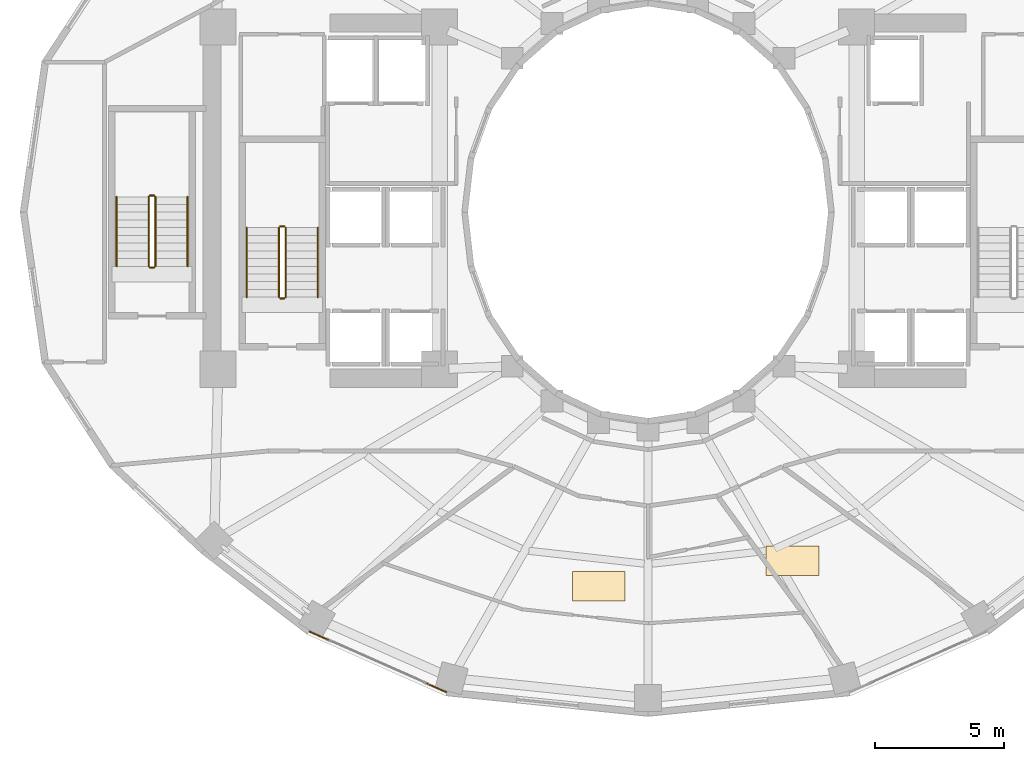
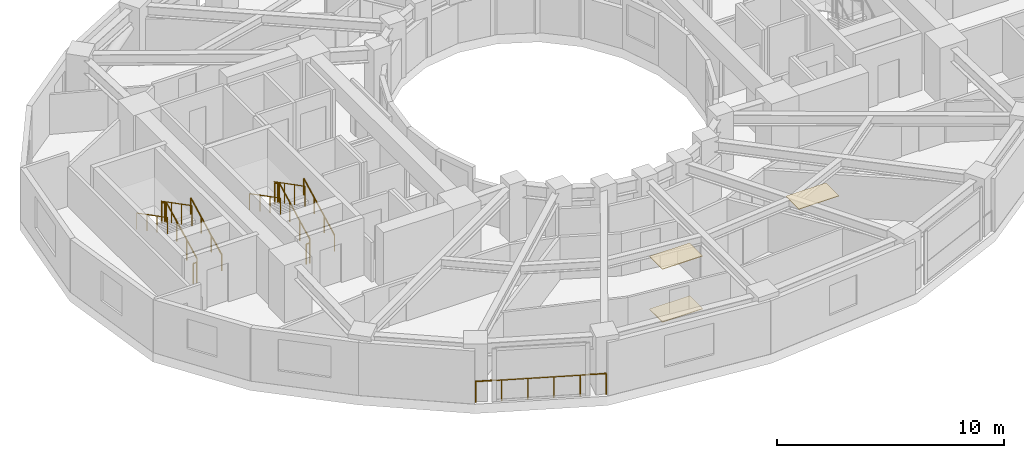
# One storey, part 16 of 18: 13 railings, 3 coverings.
"""IFC4 building model written with IfcOpenShell, lengths in metres."""

from ifc_helpers import new_model, si_unit, direction, frame, origin, origin_2d, place, context, subcontext, project, spatial, polyline, circle, outline, extrude, material, layer, layer_set, type_object, element, save


model = new_model("IFC4")

# Units and contexts
model_context = context("Model", 3, precision=1e-05, world=origin(), true_north=direction((0.0, 1.0)))
body_context = subcontext(model_context, "Body", "Model", "MODEL_VIEW")
ifc_project = project(units=[si_unit("LENGTHUNIT", "METRE"), si_unit("AREAUNIT", "SQUARE_METRE"), si_unit("VOLUMEUNIT", "CUBIC_METRE"), si_unit("PLANEANGLEUNIT", "RADIAN"), si_unit("MASSUNIT", "GRAM", prefix="KILO")], contexts=[model_context])

# Site, building, storey
site_placement = place(None, origin())
site = spatial("IfcSite", under=ifc_project, at=site_placement, CompositionType="ELEMENT")
building_placement = place(site_placement, origin())
building = spatial("IfcBuilding", under=site, at=building_placement, Name="Solvane Sanctuary Tower", CompositionType="ELEMENT")
storey_placement = place(building_placement, frame((0.0, 0.0, 94.89990234375)))
storey = spatial("IfcBuildingStorey", under=building, at=storey_placement, Name="L28", CompositionType="ELEMENT", Elevation=94.89990234375)

# Coverings
ifc_material_1 = material(Name="Acoustic Gypsum Partition Board")
ifc_layer_1 = layer(ifc_material_1, 0.02490234375, Name="Acoustic Gypsum Partition Board")
ifc_layer_set_1 = layer_set([ifc_layer_1], Name="Acoustic Gypsum Partition Board")
covering_type_1 = type_object("IfcCoveringType", Name="Covering CLG-ACOUST", PredefinedType="CEILING", material=ifc_layer_set_1)
covering_1_placement = place(storey_placement, frame((0.0, 0.0, 2.85009765625)))
element("IfcCovering", 1, at=covering_1_placement, inside=storey, type_object=covering_type_1, Name="L28 Unit Acoustic Ceiling Panel 3", PredefinedType="CEILING", context=body_context, shape_type="SweptSolid", body=[
    extrude(outline(polyline([(29.06298828125, 7.89990234375), (31.113037109375, 7.89990234375), (31.113037109375, 9.050048828125), (29.06298828125, 9.050048828125), (29.06298828125, 7.89990234375)])), origin(), (0.0, 0.0, 1.0), 0.030029296875),
])
covering_2_placement = place(storey_placement, frame((0.0, 0.0, 2.85009765625)))
element("IfcCovering", 2, at=covering_2_placement, inside=storey, type_object=covering_type_1, Name="L28 Unit Acoustic Ceiling Panel 4", PredefinedType="CEILING", context=body_context, shape_type="SweptSolid", body=[
    extrude(outline(polyline([(36.5810546875, 8.889892578125), (38.631103515625, 8.889892578125), (38.631103515625, 10.0400390625), (36.5810546875, 10.0400390625), (36.5810546875, 8.889892578125)])), origin(), (0.0, 0.0, 1.0), 0.030029296875),
])
ifc_material_2 = material(Name="Ceramic Tile Finish")
ifc_layer_2 = layer(ifc_material_2, 0.030029296875, Name="Ceramic Tile Finish")
ifc_layer_set_2 = layer_set([ifc_layer_2], Name="Ceramic Tile Finish")
covering_type_2 = type_object("IfcCoveringType", Name="Covering FLR-TERRAZZO", PredefinedType="FLOORING", material=ifc_layer_set_2)
covering_3_placement = place(storey_placement, origin())
element("IfcCovering", 3, at=covering_3_placement, inside=storey, type_object=covering_type_2, Name="L28 Unit Terrazzo Inlay 3", PredefinedType="FLOORING", context=body_context, shape_type="SweptSolid", body=[
    extrude(outline(polyline([(29.06298828125, 7.89990234375), (31.113037109375, 7.89990234375), (31.113037109375, 9.050048828125), (29.06298828125, 9.050048828125), (29.06298828125, 7.89990234375)])), origin(), (0.0, 0.0, 1.0), 0.03515625),
])

# Railings
ifc_material_3 = material(Name="Architectural Stainless Steel 316", Category="steel")
railing_type_1 = type_object("IfcRailingType", Name="Railing GR-BALC-1150", PredefinedType="BALUSTRADE", material=ifc_material_3)
railing_1_placement = place(storey_placement, frame((18.85400390625, 6.7099609375, 0.0)))
element("IfcRailing", 4, at=railing_1_placement, inside=storey, type_object=railing_type_1, Name="L28 Curtain-Wall Perimeter Sill Guard 16", PredefinedType="BALUSTRADE", context=body_context, shape_type="SweptSolid", body=[
    extrude(circle(Radius=0.02392578125, at=origin_2d()), frame((0.0, 0.0, 1.1259765625), z_axis=(0.91433335621, -0.40496236087, 0.0), x_axis=(0.40496236087, 0.91433335621, 0.0)), (0.0, 0.0, 1.0), 5.799072265625),
    extrude(circle(Radius=0.02099609375, at=origin_2d()), origin(), (0.0, 0.0, 1.0), 1.101806640625),
    extrude(circle(Radius=0.02099609375, at=origin_2d()), frame((1.060546875, -0.4697265625, 0.0)), (0.0, 0.0, 1.0), 1.101806640625),
    extrude(circle(Radius=0.02099609375, at=origin_2d()), frame((2.120849609375, -0.939453125, 0.0)), (0.0, 0.0, 1.0), 1.101806640625),
    extrude(circle(Radius=0.02099609375, at=origin_2d()), frame((3.181396484375, -1.408935546875, 0.0)), (0.0, 0.0, 1.0), 1.101806640625),
    extrude(circle(Radius=0.02099609375, at=origin_2d()), frame((4.24169921875, -1.878662109375, 0.0)), (0.0, 0.0, 1.0), 1.101806640625),
    extrude(circle(Radius=0.02099609375, at=origin_2d()), frame((5.30224609375, -2.348388671875, 0.0)), (0.0, 0.0, 1.0), 1.101806640625),
])
railing_2_placement = place(storey_placement, frame((17.919921875, 19.699951171875, 0.155029296875)))
element("IfcRailing", 5, at=railing_2_placement, inside=storey, type_object=railing_type_1, Name="L28 ST-1 stair guard 1", PredefinedType="BALUSTRADE", context=body_context, shape_type="SweptSolid", body=[
    extrude(circle(Radius=0.02392578125, at=origin_2d()), frame((0.0, 0.0, 1.076171875), z_axis=(0.0, 0.888419900624, 0.459031676658), x_axis=(-1.0, 0.0, 0.0)), (0.0, 0.0, 1.0), 3.0390625),
    extrude(circle(Radius=0.02099609375, at=origin_2d()), origin(), (0.0, 0.0, 1.0), 1.052001953125),
    extrude(circle(Radius=0.02099609375, at=origin_2d()), frame((0.0, 0.89990234375, 0.465087890625)), (0.0, 0.0, 1.0), 1.052001953125),
    extrude(circle(Radius=0.02099609375, at=origin_2d()), frame((0.0, 1.800048828125, 0.929931640625)), (0.0, 0.0, 1.0), 1.052001953125),
    extrude(circle(Radius=0.02099609375, at=origin_2d()), frame((0.0, 2.699951171875, 1.39501953125)), (0.0, 0.0, 1.0), 1.052001953125),
])
railing_3_placement = place(storey_placement, frame((17.8701171875, 22.449951171875, 1.550048828125)))
element("IfcRailing", 6, at=railing_3_placement, inside=storey, type_object=railing_type_1, Name="L28 ST-1 stair guard 2", PredefinedType="BALUSTRADE", context=body_context, shape_type="SweptSolid", body=[
    extrude(circle(Radius=0.02392578125, at=origin_2d()), frame((0.0, 0.0, 1.076171875), z_axis=(-1.0, 0.0, 0.0), x_axis=(0.0, -1.0, 0.0)), (0.0, 0.0, 1.0), 0.16015625),
    extrude(circle(Radius=0.02099609375, at=origin_2d()), origin(), (0.0, 0.0, 1.0), 1.052001953125),
    extrude(circle(Radius=0.02099609375, at=origin_2d()), frame((-0.16015625, 0.0, 0.0)), (0.0, 0.0, 1.0), 1.052001953125),
])
railing_4_placement = place(storey_placement, frame((17.659912109375, 22.39990234375, 1.705078125)))
element("IfcRailing", 7, at=railing_4_placement, inside=storey, type_object=railing_type_1, Name="L28 ST-1 stair guard 3", PredefinedType="BALUSTRADE", context=body_context, shape_type="SweptSolid", body=[
    extrude(circle(Radius=0.02392578125, at=origin_2d()), frame((0.0, 0.0, 1.076171875), z_axis=(0.0, -0.888419900624, 0.459031676658), x_axis=(1.0, 0.0, 0.0)), (0.0, 0.0, 1.0), 3.0390625),
    extrude(circle(Radius=0.02099609375, at=origin_2d()), origin(), (0.0, 0.0, 1.0), 1.052001953125),
    extrude(circle(Radius=0.02099609375, at=origin_2d()), frame((0.0, -0.89990234375, 0.465087890625)), (0.0, 0.0, 1.0), 1.052001953125),
    extrude(circle(Radius=0.02099609375, at=origin_2d()), frame((0.0, -1.800048828125, 0.929931640625)), (0.0, 0.0, 1.0), 1.052001953125),
    extrude(circle(Radius=0.02099609375, at=origin_2d()), frame((0.0, -2.699951171875, 1.39501953125)), (0.0, 0.0, 1.0), 1.052001953125),
])
railing_5_placement = place(storey_placement, frame((17.8701171875, 19.64990234375, 0.0)))
element("IfcRailing", 8, at=railing_5_placement, inside=storey, type_object=railing_type_1, Name="L28 ST-1 stair guard 4", PredefinedType="BALUSTRADE", context=body_context, shape_type="SweptSolid", body=[
    extrude(circle(Radius=0.02392578125, at=origin_2d()), frame((0.0, 0.0, 1.076171875), z_axis=(-1.0, 0.0, 0.0), x_axis=(0.0, -1.0, 0.0)), (0.0, 0.0, 1.0), 0.16015625),
    extrude(circle(Radius=0.02099609375, at=origin_2d()), origin(), (0.0, 0.0, 1.0), 1.052001953125),
    extrude(circle(Radius=0.02099609375, at=origin_2d()), frame((-0.16015625, 0.0, 0.0)), (0.0, 0.0, 1.0), 1.052001953125),
])
railing_6_placement = place(storey_placement, frame((12.860107421875, 20.89990234375, 0.155029296875)))
element("IfcRailing", 9, at=railing_6_placement, inside=storey, type_object=railing_type_1, Name="L28 ST-3 stair guard 1", PredefinedType="BALUSTRADE", context=body_context, shape_type="SweptSolid", body=[
    extrude(circle(Radius=0.02392578125, at=origin_2d()), frame((0.0, 0.0, 1.076171875), z_axis=(0.0, 0.888436826113, 0.458998917216), x_axis=(-1.0, 0.0, 0.0)), (0.0, 0.0, 1.0), 3.039306640625),
    extrude(circle(Radius=0.02099609375, at=origin_2d()), origin(), (0.0, 0.0, 1.0), 1.052001953125),
    extrude(circle(Radius=0.02099609375, at=origin_2d()), frame((0.0, 0.900146484375, 0.465087890625)), (0.0, 0.0, 1.0), 1.052001953125),
    extrude(circle(Radius=0.02099609375, at=origin_2d()), frame((0.0, 1.800048828125, 0.929931640625)), (0.0, 0.0, 1.0), 1.052001953125),
    extrude(circle(Radius=0.02099609375, at=origin_2d()), frame((0.0, 2.7001953125, 1.39501953125)), (0.0, 0.0, 1.0), 1.052001953125),
])
railing_7_placement = place(storey_placement, frame((12.81005859375, 23.64990234375, 1.550048828125)))
element("IfcRailing", 10, at=railing_7_placement, inside=storey, type_object=railing_type_1, Name="L28 ST-3 stair guard 2", PredefinedType="BALUSTRADE", context=body_context, shape_type="SweptSolid", body=[
    extrude(circle(Radius=0.02392578125, at=origin_2d()), frame((0.0, 0.0, 1.076171875), z_axis=(-1.0, 0.0, 0.0), x_axis=(0.0, -1.0, 0.0)), (0.0, 0.0, 1.0), 0.16015625),
    extrude(circle(Radius=0.02099609375, at=origin_2d()), origin(), (0.0, 0.0, 1.0), 1.052001953125),
    extrude(circle(Radius=0.02099609375, at=origin_2d()), frame((-0.16015625, 0.0, 0.0)), (0.0, 0.0, 1.0), 1.052001953125),
])
railing_8_placement = place(storey_placement, frame((12.60009765625, 23.60009765625, 1.705078125)))
element("IfcRailing", 11, at=railing_8_placement, inside=storey, type_object=railing_type_1, Name="L28 ST-3 stair guard 3", PredefinedType="BALUSTRADE", context=body_context, shape_type="SweptSolid", body=[
    extrude(circle(Radius=0.02392578125, at=origin_2d()), frame((0.0, 0.0, 1.076171875), z_axis=(0.0, -0.888436826113, 0.458998917216), x_axis=(1.0, 0.0, 0.0)), (0.0, 0.0, 1.0), 3.039306640625),
    extrude(circle(Radius=0.02099609375, at=origin_2d()), origin(), (0.0, 0.0, 1.0), 1.052001953125),
    extrude(circle(Radius=0.02099609375, at=origin_2d()), frame((0.0, -0.900146484375, 0.465087890625)), (0.0, 0.0, 1.0), 1.052001953125),
    extrude(circle(Radius=0.02099609375, at=origin_2d()), frame((0.0, -1.800048828125, 0.929931640625)), (0.0, 0.0, 1.0), 1.052001953125),
    extrude(circle(Radius=0.02099609375, at=origin_2d()), frame((0.0, -2.7001953125, 1.39501953125)), (0.0, 0.0, 1.0), 1.052001953125),
])
railing_9_placement = place(storey_placement, frame((12.81005859375, 20.85009765625, 0.0)))
element("IfcRailing", 12, at=railing_9_placement, inside=storey, type_object=railing_type_1, Name="L28 ST-3 stair guard 4", PredefinedType="BALUSTRADE", context=body_context, shape_type="SweptSolid", body=[
    extrude(circle(Radius=0.02392578125, at=origin_2d()), frame((0.0, 0.0, 1.076171875), z_axis=(-1.0, 0.0, 0.0), x_axis=(0.0, -1.0, 0.0)), (0.0, 0.0, 1.0), 0.16015625),
    extrude(circle(Radius=0.02099609375, at=origin_2d()), origin(), (0.0, 0.0, 1.0), 1.052001953125),
    extrude(circle(Radius=0.02099609375, at=origin_2d()), frame((-0.16015625, 0.0, 0.0)), (0.0, 0.0, 1.0), 1.052001953125),
])
railing_type_2 = type_object("IfcRailingType", Name="Railing HR-STAIR-920", PredefinedType="HANDRAIL", material=ifc_material_3)
railing_10_placement = place(storey_placement, frame((19.169921875, 19.699951171875, 0.155029296875)))
element("IfcRailing", 13, at=railing_10_placement, inside=storey, type_object=railing_type_2, Name="L28 ST-1 stair handrail 1", PredefinedType="HANDRAIL", context=body_context, shape_type="SweptSolid", body=[
    extrude(circle(Radius=0.02392578125, at=origin_2d()), frame((0.0, 0.0, 0.8759765625), z_axis=(0.0, 0.888419900624, 0.459031676658), x_axis=(-1.0, 0.0, 0.0)), (0.0, 0.0, 1.0), 3.0390625),
    extrude(circle(Radius=0.02099609375, at=origin_2d()), origin(), (0.0, 0.0, 1.0), 0.851806640625),
    extrude(circle(Radius=0.02099609375, at=origin_2d()), frame((0.0, 0.89990234375, 0.465087890625)), (0.0, 0.0, 1.0), 0.851806640625),
    extrude(circle(Radius=0.02099609375, at=origin_2d()), frame((0.0, 1.800048828125, 0.929931640625)), (0.0, 0.0, 1.0), 0.851806640625),
    extrude(circle(Radius=0.02099609375, at=origin_2d()), frame((0.0, 2.699951171875, 1.39501953125)), (0.0, 0.0, 1.0), 0.851806640625),
])
railing_11_placement = place(storey_placement, frame((16.409912109375, 22.39990234375, 1.705078125)))
element("IfcRailing", 14, at=railing_11_placement, inside=storey, type_object=railing_type_2, Name="L28 ST-1 stair handrail 2", PredefinedType="HANDRAIL", context=body_context, shape_type="SweptSolid", body=[
    extrude(circle(Radius=0.02392578125, at=origin_2d()), frame((0.0, 0.0, 0.8759765625), z_axis=(0.0, -0.888419900624, 0.459031676658), x_axis=(1.0, 0.0, 0.0)), (0.0, 0.0, 1.0), 3.0390625),
    extrude(circle(Radius=0.02099609375, at=origin_2d()), origin(), (0.0, 0.0, 1.0), 0.851806640625),
    extrude(circle(Radius=0.02099609375, at=origin_2d()), frame((0.0, -0.89990234375, 0.465087890625)), (0.0, 0.0, 1.0), 0.851806640625),
    extrude(circle(Radius=0.02099609375, at=origin_2d()), frame((0.0, -1.800048828125, 0.929931640625)), (0.0, 0.0, 1.0), 0.851806640625),
    extrude(circle(Radius=0.02099609375, at=origin_2d()), frame((0.0, -2.699951171875, 1.39501953125)), (0.0, 0.0, 1.0), 0.851806640625),
])
railing_12_placement = place(storey_placement, frame((14.110107421875, 20.89990234375, 0.155029296875)))
element("IfcRailing", 15, at=railing_12_placement, inside=storey, type_object=railing_type_2, Name="L28 ST-3 stair handrail 1", PredefinedType="HANDRAIL", context=body_context, shape_type="SweptSolid", body=[
    extrude(circle(Radius=0.02392578125, at=origin_2d()), frame((0.0, 0.0, 0.8759765625), z_axis=(0.0, 0.888436826113, 0.458998917216), x_axis=(-1.0, 0.0, 0.0)), (0.0, 0.0, 1.0), 3.039306640625),
    extrude(circle(Radius=0.02099609375, at=origin_2d()), origin(), (0.0, 0.0, 1.0), 0.851806640625),
    extrude(circle(Radius=0.02099609375, at=origin_2d()), frame((0.0, 0.900146484375, 0.465087890625)), (0.0, 0.0, 1.0), 0.851806640625),
    extrude(circle(Radius=0.02099609375, at=origin_2d()), frame((0.0, 1.800048828125, 0.929931640625)), (0.0, 0.0, 1.0), 0.851806640625),
    extrude(circle(Radius=0.02099609375, at=origin_2d()), frame((0.0, 2.7001953125, 1.39501953125)), (0.0, 0.0, 1.0), 0.851806640625),
])
railing_13_placement = place(storey_placement, frame((11.35009765625, 23.60009765625, 1.705078125)))
element("IfcRailing", 16, at=railing_13_placement, inside=storey, type_object=railing_type_2, Name="L28 ST-3 stair handrail 2", PredefinedType="HANDRAIL", context=body_context, shape_type="SweptSolid", body=[
    extrude(circle(Radius=0.02392578125, at=origin_2d()), frame((0.0, 0.0, 0.8759765625), z_axis=(0.0, -0.888436826113, 0.458998917216), x_axis=(1.0, 0.0, 0.0)), (0.0, 0.0, 1.0), 3.039306640625),
    extrude(circle(Radius=0.02099609375, at=origin_2d()), origin(), (0.0, 0.0, 1.0), 0.851806640625),
    extrude(circle(Radius=0.02099609375, at=origin_2d()), frame((0.0, -0.900146484375, 0.465087890625)), (0.0, 0.0, 1.0), 0.851806640625),
    extrude(circle(Radius=0.02099609375, at=origin_2d()), frame((0.0, -1.800048828125, 0.929931640625)), (0.0, 0.0, 1.0), 0.851806640625),
    extrude(circle(Radius=0.02099609375, at=origin_2d()), frame((0.0, -2.7001953125, 1.39501953125)), (0.0, 0.0, 1.0), 0.851806640625),
])

save(model, "model.ifc")
